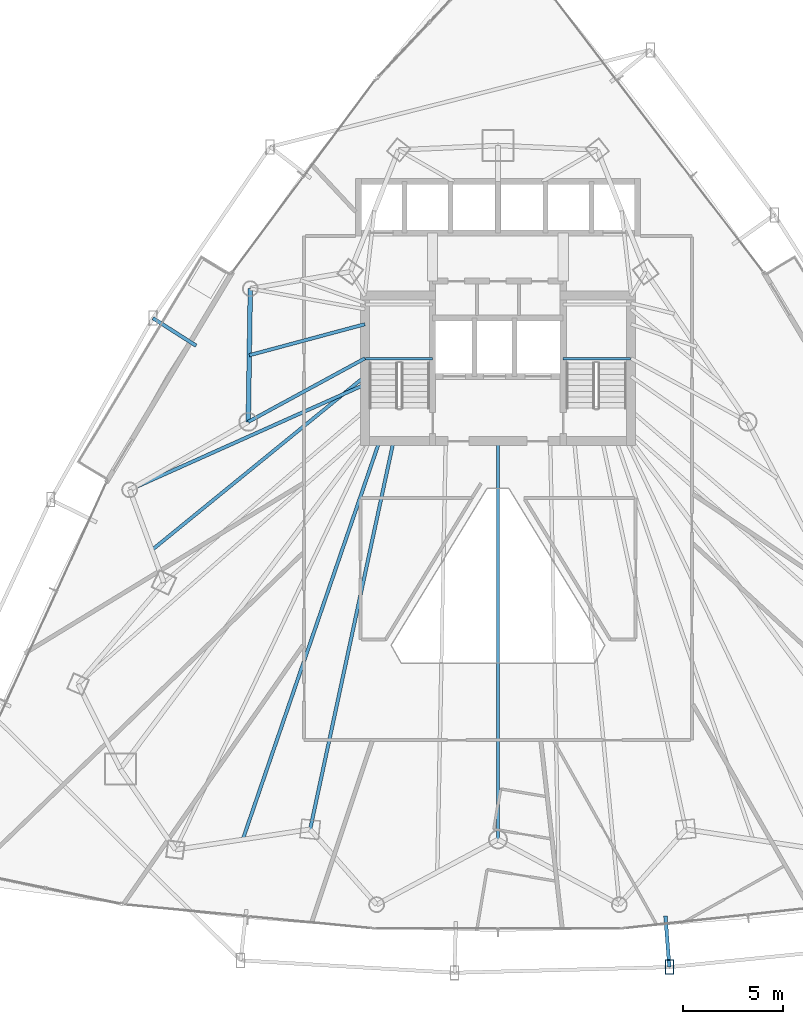
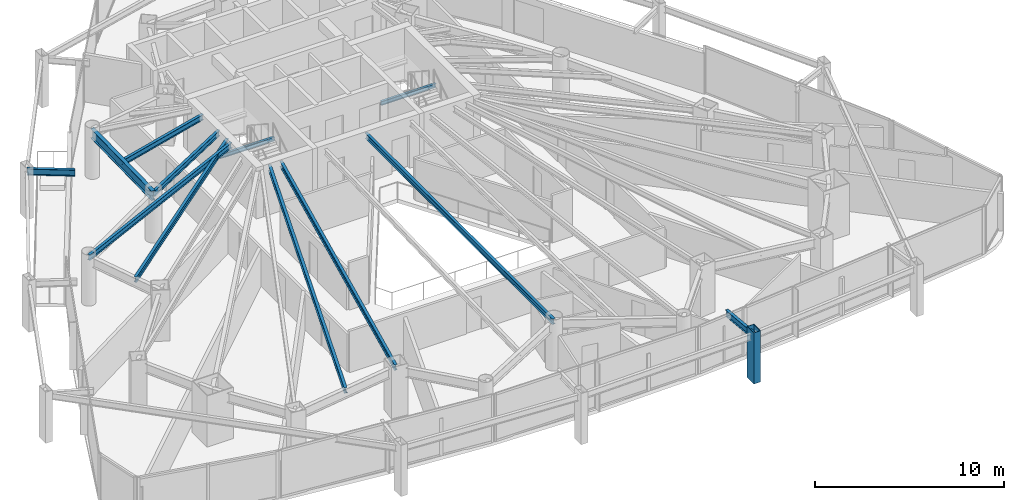
# One storey, part 11 of 33: 12 beams, 1 member.
"""IFC4 building model written with IfcOpenShell, lengths in metres."""

import ifcopenshell
import ifcopenshell.guid

model = None  # the IFC model being written
_history = None  # IfcOwnerHistory: only IFC2X3 demands one
_inside = {}  # id of a spatial element -> (the spatial element, [elements in it])
_under = {}  # id of a project, library or spatial element -> (it, [spatial elements below it])
_declared = {}  # id of a project -> (the project, [libraries it declares])
_typed = {}  # id of a type object -> (the type object, [elements of that type])
_made_of = {}  # id of a material, layer set ... -> (it, [elements and type objects made of it])


def new_model(schema):
    """Start an empty IFC model of exactly this schema.

    Asked for "IFC4X3", IfcOpenShell would pick the latest addendum, in which some entities
    have other attributes; the version numbers below select the first issue.
    IFC2X3 requires an IfcOwnerHistory on every rooted entity: one is made here for all.
    """
    global model, _history
    if schema == "IFC4X3":
        model = ifcopenshell.file(schema_version=(4, 3, 0, 0))
    else:
        model = ifcopenshell.file(schema=schema)
    _inside.clear()
    _under.clear()
    _declared.clear()
    _typed.clear()
    _made_of.clear()
    _history = None
    if model.schema == "IFC2X3":
        org = make("IfcOrganization", Name="unknown")
        user = make(
            "IfcPersonAndOrganization",
            ThePerson=make("IfcPerson", FamilyName="unknown"),
            TheOrganization=org,
        )
        app = make(
            "IfcApplication",
            ApplicationDeveloper=org,
            Version="unknown",
            ApplicationFullName="unknown",
            ApplicationIdentifier="unknown",
        )
        _history = make(
            "IfcOwnerHistory",
            OwningUser=user,
            OwningApplication=app,
            ChangeAction="ADDED",
            CreationDate=0,
        )
    return model


def make(cls, **values):
    """One entity of the class cls with the attributes given. An attribute that is None is left unset."""
    return model.create_entity(
        cls, **{name: value for name, value in values.items() if value is not None}
    )


def rooted(cls, **values):
    """An entity with a GlobalId (a new one), such as an element, a storey or a relation."""
    return make(cls, GlobalId=ifcopenshell.guid.new(), OwnerHistory=_history, **values)


def si_unit(unit_type, name, prefix=None):
    """IfcSIUnit, for example si_unit("LENGTHUNIT", "METRE", prefix="MILLI")."""
    return make("IfcSIUnit", UnitType=unit_type, Prefix=prefix, Name=name)


def assignment(units):
    """IfcUnitAssignment: the units of a project."""
    return None if units is None else make("IfcUnitAssignment", Units=units)


def point(xyz):
    """IfcCartesianPoint."""
    return None if xyz is None else make("IfcCartesianPoint", Coordinates=xyz)


def direction(xyz):
    """IfcDirection."""
    return None if xyz is None else make("IfcDirection", DirectionRatios=xyz)


def frame(location, z_axis=None, x_axis=None):
    """IfcAxis2Placement3D, a coordinate frame: its origin and axes. An axis left out is left unset."""
    return make(
        "IfcAxis2Placement3D",
        Location=point(location),
        Axis=direction(z_axis),
        RefDirection=direction(x_axis),
    )


def frame_2d(location, x_axis=None):
    """IfcAxis2Placement2D, a coordinate frame in the plane: its origin and x axis."""
    return make(
        "IfcAxis2Placement2D", Location=point(location), RefDirection=direction(x_axis)
    )


def origin():
    """The frame at (0, 0, 0) with its axes left unset."""
    return frame((0.0, 0.0, 0.0))


def origin_2d():
    """The frame at (0, 0) in the plane with its x axis left unset."""
    return frame_2d((0.0, 0.0))


def place(relative_to, where):
    """IfcLocalPlacement: puts the frame where relative to a parent placement (None: the world)."""
    return make(
        "IfcLocalPlacement", PlacementRelTo=relative_to, RelativePlacement=where
    )


def context(
    kind, dimensions, precision=None, world=None, true_north=None, identifier=None
):
    """IfcGeometricRepresentationContext, for example the 3D "Model" context."""
    return make(
        "IfcGeometricRepresentationContext",
        ContextIdentifier=identifier,
        ContextType=kind,
        CoordinateSpaceDimension=dimensions,
        Precision=precision,
        WorldCoordinateSystem=world,
        TrueNorth=true_north,
    )


def subcontext(parent, identifier, kind, view, scale=None):
    """IfcGeometricRepresentationSubContext, for example "Body" below "Model"."""
    return make(
        "IfcGeometricRepresentationSubContext",
        ContextIdentifier=identifier,
        ContextType=kind,
        ParentContext=parent,
        TargetScale=scale,
        TargetView=view,
    )


def project(units=None, contexts=None):
    """IfcProject with its units and contexts."""
    return rooted(
        "IfcProject",
        Name="project",
        RepresentationContexts=contexts,
        UnitsInContext=assignment(units),
    )


def spatial(cls, under=None, at=None, **own):
    """A site, building, storey or space (cls), placed at a placement, below another one or the project."""
    s = rooted(cls, ObjectPlacement=at, **own)
    if under is not None:
        _under.setdefault(under.id(), (under, []))[1].append(s)
    return s


def profile(cls, at=None, kind="AREA", **sizes):
    """A parametric profile (cls). Its sizes go by their IFC names, for example OverallWidth=200.0."""
    return make(cls, ProfileType=kind, Position=at, **sizes)


def hollow_rectangle(**sizes):
    """IfcRectangleHollowProfileDef."""
    return profile("IfcRectangleHollowProfileDef", **sizes)


def i_section(**sizes):
    """IfcIShapeProfileDef."""
    return profile("IfcIShapeProfileDef", **sizes)


def extrude(swept, where, along, depth):
    """IfcExtrudedAreaSolid: the profile swept, set in the frame where, extruded along a direction by depth."""
    return make(
        "IfcExtrudedAreaSolid",
        SweptArea=swept,
        Position=where,
        ExtrudedDirection=direction(along),
        Depth=depth,
    )


def shape(context_of_items, identifier, shape_type, items):
    """IfcShapeRepresentation: the items that make up one representation, for example the "Body"."""
    return make(
        "IfcShapeRepresentation",
        ContextOfItems=context_of_items,
        RepresentationIdentifier=identifier,
        RepresentationType=shape_type,
        Items=items,
    )


def material(Name=None, Category=None):
    """IfcMaterial."""
    return make("IfcMaterial", Name=Name, Category=Category)


def material_profile(
    of_material, cross_section, Name=None, Category=None, Priority=None
):
    """IfcMaterialProfile: a cross section and its material."""
    return make(
        "IfcMaterialProfile",
        Name=Name,
        Material=of_material,
        Profile=cross_section,
        Priority=Priority,
        Category=Category,
    )


def profile_set(profiles, Name=None, composite=None):
    """IfcMaterialProfileSet."""
    return make(
        "IfcMaterialProfileSet",
        Name=Name,
        MaterialProfiles=profiles,
        CompositeProfile=composite,
    )


def made_of(thing, what):
    """Note that an element or type object is made of a material, layer set ...; save() writes the relation."""
    if what is not None:
        _made_of.setdefault(what.id(), (what, []))[1].append(thing)
    return thing


def type_object(cls, material=None, **own):
    """A type object (cls), such as IfcWallType, which elements share."""
    return made_of(rooted(cls, **own), material)


def element(
    cls,
    number,
    at=None,
    inside=None,
    cuts=None,
    type_object=None,
    material=None,
    context=None,
    identifier="Body",
    shape_type=None,
    held_by="IfcProductDefinitionShape",
    body=None,
    shapes=None,
    **own,
):
    """One element of the class cls, such as IfcWall. Its Tag is "e" and its number.

    at: its placement. inside: the storey or other place that contains it. cuts: it is an
    opening in that element (IfcRelVoidsElement). A single representation is given by context,
    identifier, shape_type and body (its items); several are given by shapes. held_by: the class
    of the entity that holds the representations. save() writes the other relations.
    """
    e = rooted(cls, Tag="e%d" % number, ObjectPlacement=at, **own)
    if body is not None:
        shapes = [shape(context, identifier, shape_type, body)]
    if shapes is not None:
        e.Representation = make(held_by, Representations=shapes)
    if inside is not None:
        _inside.setdefault(inside.id(), (inside, []))[1].append(e)
    if cuts is not None:
        rooted(
            "IfcRelVoidsElement", RelatingBuildingElement=cuts, RelatedOpeningElement=e
        )
    if type_object is not None:
        _typed.setdefault(type_object.id(), (type_object, []))[1].append(e)
    return made_of(e, material)


def aggregate(whole, parts):
    """IfcRelAggregates: a whole, such as a stair, and the parts it consists of."""
    return rooted("IfcRelAggregates", RelatingObject=whole, RelatedObjects=parts)


def save(model, path):
    """Write the relations noted so far, then the file.

    IfcRelAggregates (storeys below a building ...), IfcRelContainedInSpatialStructure (elements
    in a storey), IfcRelDefinesByType, IfcRelAssociatesMaterial and IfcRelDeclares: one each for
    every whole, place, type object, material and project.
    """
    for whole, parts in _under.values():
        aggregate(whole, parts)
    for where, things in _inside.values():
        rooted(
            "IfcRelContainedInSpatialStructure",
            RelatedElements=things,
            RelatingStructure=where,
        )
    for kind, things in _typed.values():
        rooted("IfcRelDefinesByType", RelatedObjects=things, RelatingType=kind)
    for what, things in _made_of.values():
        rooted("IfcRelAssociatesMaterial", RelatedObjects=things, RelatingMaterial=what)
    for by, libraries in _declared.values():
        rooted("IfcRelDeclares", RelatingContext=by, RelatedDefinitions=libraries)
    model.write(path)


model = new_model("IFC4")

# Units and contexts
model_context = context("Model", 3, precision=1e-05, world=origin(), true_north=direction((0.0, 1.0)))
body_context = subcontext(model_context, "Body", "Model", "MODEL_VIEW")
ifc_project = project(units=[si_unit("LENGTHUNIT", "METRE"), si_unit("AREAUNIT", "SQUARE_METRE"), si_unit("VOLUMEUNIT", "CUBIC_METRE"), si_unit("PLANEANGLEUNIT", "RADIAN"), si_unit("MASSUNIT", "GRAM", prefix="KILO")], contexts=[model_context])

# Site, building, storey
site_placement = place(None, origin())
site = spatial("IfcSite", under=ifc_project, at=site_placement, CompositionType="ELEMENT")
building_placement = place(site_placement, origin())
building = spatial("IfcBuilding", under=site, at=building_placement, Name="Orvanel Arch Residences", CompositionType="ELEMENT")
storey_placement = place(building_placement, frame((0.0, 0.0, 90.64990234375)))
storey = spatial("IfcBuildingStorey", under=building, at=storey_placement, Name="L25", CompositionType="ELEMENT", Elevation=90.64990234375)

# Beams
ifc_material_1 = material(Name="Structural steel AS/NZS 3679.1 Grade 300 (300 MPa)", Category="steel")
ifc_material_profile_1 = material_profile(ifc_material_1, i_section(OverallWidth=0.14599609375, OverallDepth=0.251953125, WebThickness=0.006103515625, FlangeThickness=0.008544921875, at=origin_2d()), Name="250UB31.4")
ifc_profile_set_1 = profile_set([ifc_material_profile_1], Name="Structural steel AS/NZS 3679.1 Grade 300 (300 MPa)")
beam_type_1 = type_object("IfcBeamType", Name="BJ-250UB", PredefinedType="JOIST", material=ifc_profile_set_1)
for number, where, z_axis, x_axis, name in (
    (1, (26.39990234375, 30.780029296875, 1.32421875), (1.0, 0.0, 0.0), (0.0, 1.0, 0.0), "L25 ST-1 Half-Landing Support Beam 1.1"),
    (2, (36.25, 30.780029296875, 1.32421875), (1.0, 0.0, 0.0), (0.0, 1.0, 0.0), "L25 ST-2 Half-Landing Support Beam 1.1"),
):
    element("IfcBeam", number, at=place(storey_placement, frame(where, z_axis=z_axis, x_axis=x_axis)), inside=storey, type_object=beam_type_1, Name=name, PredefinedType="JOIST", context=body_context, shape_type="SweptSolid", body=[
        extrude(i_section(OverallWidth=0.14599609375, OverallDepth=0.251953125, WebThickness=0.006103515625, FlangeThickness=0.008544921875, at=origin_2d()), origin(), (0.0, 0.0, 1.0), 3.35009765625),
    ])
ifc_material_profile_2 = material_profile(ifc_material_1, i_section(OverallWidth=0.1708984375, OverallDepth=0.35595703125, WebThickness=0.00732421875, FlangeThickness=0.011474609375, at=origin_2d()), Name="360UB50.7")
ifc_profile_set_2 = profile_set([ifc_material_profile_2], Name="Structural steel AS/NZS 3679.1 Grade 300 (300 MPa)")
beam_type_2 = type_object("IfcBeamType", Name="BJ-360UB", PredefinedType="JOIST", material=ifc_profile_set_2)
beam_1_placement = place(storey_placement, frame((26.375, 30.800048828125, 2.882080078125), z_axis=(-0.878399029914, -0.477927969726, 0.0), x_axis=(0.477927969726, -0.878399029914, 0.0)))
element("IfcBeam", 3, at=beam_1_placement, inside=storey, type_object=beam_type_2, Name="L25 NW Wing Floor Joist", PredefinedType="JOIST", context=body_context, shape_type="SweptSolid", body=[
    extrude(i_section(OverallWidth=0.1708984375, OverallDepth=0.35595703125, WebThickness=0.00732421875, FlangeThickness=0.011474609375, at=origin_2d()), origin(), (0.0, 0.0, 1.0), 6.609619140625),
])
beam_2_placement = place(storey_placement, frame((27.800048828125, 26.675048828125, 2.882080078125), z_axis=(-0.210066515515, -0.977687096703, 0.0), x_axis=(0.977687096703, -0.210066515515, 0.0)))
element("IfcBeam", 4, at=beam_2_placement, inside=storey, type_object=beam_type_2, Name="L25 SW Wing Floor Joist", PredefinedType="JOIST", context=body_context, shape_type="SweptSolid", body=[
    extrude(i_section(OverallWidth=0.1708984375, OverallDepth=0.35595703125, WebThickness=0.00732421875, FlangeThickness=0.011474609375, at=origin_2d()), origin(), (0.0, 0.0, 1.0), 19.760986328125),
])
beam_3_placement = place(storey_placement, frame((33.0, 26.675048828125, 2.882080078125), z_axis=(0.0, -1.0, 0.0), x_axis=(1.0, 0.0, 0.0)))
element("IfcBeam", 5, at=beam_3_placement, inside=storey, type_object=beam_type_2, Name="L25 SSW Wing Floor Joist", PredefinedType="JOIST", context=body_context, shape_type="SweptSolid", body=[
    extrude(i_section(OverallWidth=0.1708984375, OverallDepth=0.35595703125, WebThickness=0.00732421875, FlangeThickness=0.011474609375, at=origin_2d()), origin(), (0.0, 0.0, 1.0), 19.8310546875),
])
beam_4_placement = place(storey_placement, frame((26.375, 32.5, 2.882080078125), z_axis=(-0.965844838168, -0.259121107949, 0.0), x_axis=(0.259121107949, -0.965844838168, 0.0)))
element("IfcBeam", 6, at=beam_4_placement, inside=storey, type_object=beam_type_2, Name="L25 WNW Wing Floor Joist", PredefinedType="JOIST", context=body_context, shape_type="SweptSolid", body=[
    extrude(i_section(OverallWidth=0.1708984375, OverallDepth=0.35595703125, WebThickness=0.00732421875, FlangeThickness=0.011474609375, at=origin_2d()), origin(), (0.0, 0.0, 1.0), 5.95849609375),
])
beam_5_placement = place(storey_placement, frame((26.375, 29.5, 2.882080078125), z_axis=(-0.912704378681, -0.408620505038, 0.0), x_axis=(0.408620505038, -0.912704378681, 0.0)))
element("IfcBeam", 7, at=beam_5_placement, inside=storey, type_object=beam_type_2, Name="L25 LSW Wing Floor Joist", PredefinedType="JOIST", context=body_context, shape_type="SweptSolid", body=[
    extrude(i_section(OverallWidth=0.1708984375, OverallDepth=0.35595703125, WebThickness=0.00732421875, FlangeThickness=0.011474609375, at=origin_2d()), origin(), (0.0, 0.0, 1.0), 12.833251953125),
])
beam_6_placement = place(storey_placement, frame((26.375, 29.89990234375, 2.882080078125), z_axis=(-0.775173162495, -0.631748817291, 0.0), x_axis=(0.631748817291, -0.775173162495, 0.0)))
element("IfcBeam", 8, at=beam_6_placement, inside=storey, type_object=beam_type_2, Name="L25 CTW Wing Floor Joist", PredefinedType="JOIST", context=body_context, shape_type="SweptSolid", body=[
    extrude(i_section(OverallWidth=0.1708984375, OverallDepth=0.35595703125, WebThickness=0.00732421875, FlangeThickness=0.011474609375, at=origin_2d()), origin(), (0.0, 0.0, 1.0), 13.680908203125),
])
beam_7_placement = place(storey_placement, frame((27.10009765625, 26.675048828125, 2.882080078125), z_axis=(-0.324621456495, -0.945844019901, 0.0), x_axis=(0.945844019901, -0.324621456495, 0.0)))
element("IfcBeam", 9, at=beam_7_placement, inside=storey, type_object=beam_type_2, Name="L25 JADD1 Wing Floor Joist", PredefinedType="JOIST", context=body_context, shape_type="SweptSolid", body=[
    extrude(i_section(OverallWidth=0.1708984375, OverallDepth=0.35595703125, WebThickness=0.00732421875, FlangeThickness=0.011474609375, at=origin_2d()), origin(), (0.0, 0.0, 1.0), 20.96337890625),
])

# Member
ifc_material_2 = material(Name="Structural steel AS/NZS 3678 Grade 350", Category="steel")
ifc_material_profile_3 = material_profile(ifc_material_2, hollow_rectangle(XDim=0.419921875, YDim=0.719970703125, WallThickness=0.02490234375, at=origin_2d()), Name="RHS720x420x25")
ifc_profile_set_3 = profile_set([ifc_material_profile_3], Name="Structural steel AS/NZS 3678 Grade 350")
member_type = type_object("IfcMemberType", Name="CH-720RHS-EXT", PredefinedType="CHORD", material=ifc_profile_set_3)
member_placement = place(storey_placement, frame((41.532958984375, 0.493896484375, 0.0), z_axis=(0.0, 0.0, 1.0), x_axis=(1.0, 0.0, 0.0)))
element("IfcMember", 10, at=member_placement, inside=storey, type_object=member_type, Name="L25 Outer Perimeter Frame Post 07", PredefinedType="CHORD", context=body_context, shape_type="SweptSolid", body=[
    extrude(hollow_rectangle(XDim=0.419921875, YDim=0.719970703125, WallThickness=0.02490234375, at=origin_2d()), origin(), (0.0, 0.0, 1.0), 3.300048828125),
])

# Beams
ifc_material_profile_4 = material_profile(ifc_material_1, i_section(OverallWidth=0.177978515625, OverallDepth=0.406005859375, WebThickness=0.0078125, FlangeThickness=0.0126953125, at=origin_2d()), Name="410UB59.7")
ifc_profile_set_4 = profile_set([ifc_material_profile_4], Name="Structural steel AS/NZS 3679.1 Grade 300 (300 MPa)")
beam_type_3 = type_object("IfcBeamType", Name="OB-410UB-EXT", PredefinedType="SPANDREL", material=ifc_profile_set_4)
beam_8_placement = place(storey_placement, frame((17.971923828125, 31.428955078125, 2.857177734375), z_axis=(-0.842674541319, 0.538423269754, 0.0), x_axis=(-0.538423269754, -0.842674541319, 0.0)))
element("IfcBeam", 11, at=beam_8_placement, inside=storey, type_object=beam_type_3, Name="L25 Outer Frame Radial Tie Beam 02", PredefinedType="SPANDREL", context=body_context, shape_type="SweptSolid", body=[
    extrude(i_section(OverallWidth=0.177978515625, OverallDepth=0.406005859375, WebThickness=0.0078125, FlangeThickness=0.0126953125, at=origin_2d()), origin(), (0.0, 0.0, 1.0), 2.550048828125),
])
beam_9_placement = place(storey_placement, frame((41.337890625, 3.037109375, 2.857177734375), z_axis=(0.076476913749, -0.997071352343, 0.0), x_axis=(0.997071352343, 0.076476913749, 0.0)))
element("IfcBeam", 12, at=beam_9_placement, inside=storey, type_object=beam_type_3, Name="L25 Outer Frame Radial Tie Beam 07", PredefinedType="SPANDREL", context=body_context, shape_type="SweptSolid", body=[
    extrude(i_section(OverallWidth=0.177978515625, OverallDepth=0.406005859375, WebThickness=0.0078125, FlangeThickness=0.0126953125, at=origin_2d()), origin(), (0.0, 0.0, 1.0), 2.55078125),
])
ifc_material_profile_5 = material_profile(ifc_material_1, i_section(OverallWidth=0.22900390625, OverallDepth=0.612060546875, WebThickness=0.011962890625, FlangeThickness=0.01953125, at=origin_2d()), Name="610UB125")
ifc_profile_set_5 = profile_set([ifc_material_profile_5], Name="Structural steel AS/NZS 3679.1 Grade 300 (300 MPa)")
beam_type_4 = type_object("IfcBeamType", Name="SP-610UB", PredefinedType="SPANDREL", material=ifc_profile_set_5)
beam_10_placement = place(storey_placement, frame((20.669921875, 34.27099609375, 2.754150390625), z_axis=(-0.015206666874, -0.999884371956, 0.0), x_axis=(0.999884371956, -0.015206666874, 0.0)))
element("IfcBeam", 13, at=beam_10_placement, inside=storey, type_object=beam_type_4, Name="L25 Perimeter Spandrel Beam 20", PredefinedType="SPANDREL", context=body_context, shape_type="SweptSolid", body=[
    extrude(i_section(OverallWidth=0.22900390625, OverallDepth=0.612060546875, WebThickness=0.011962890625, FlangeThickness=0.01953125, at=origin_2d()), origin(), (0.0, 0.0, 1.0), 6.630615234375),
])

save(model, "model.ifc")
